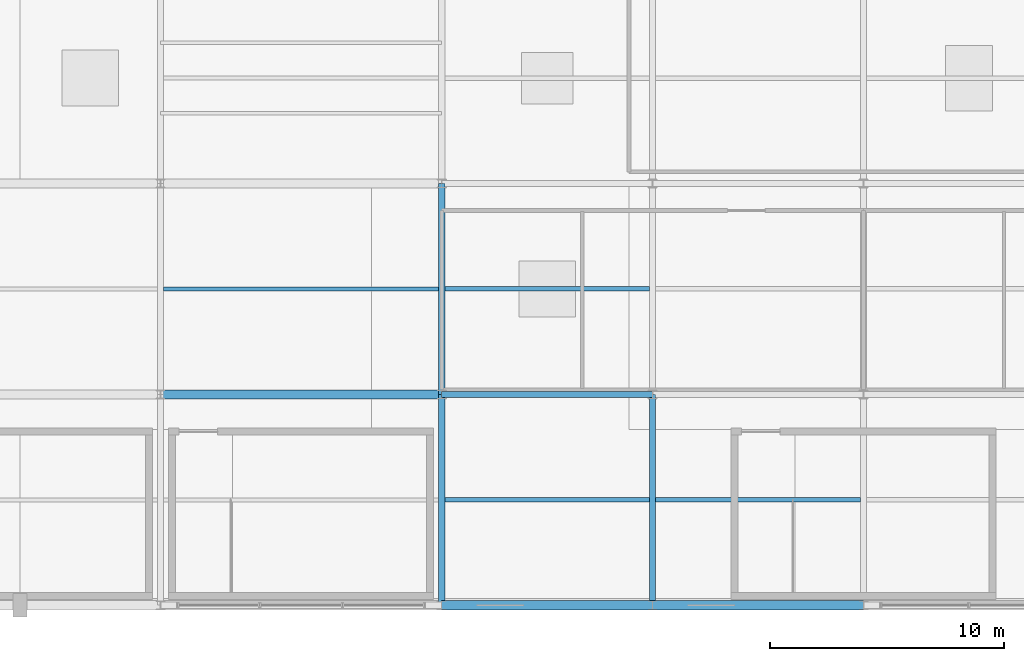
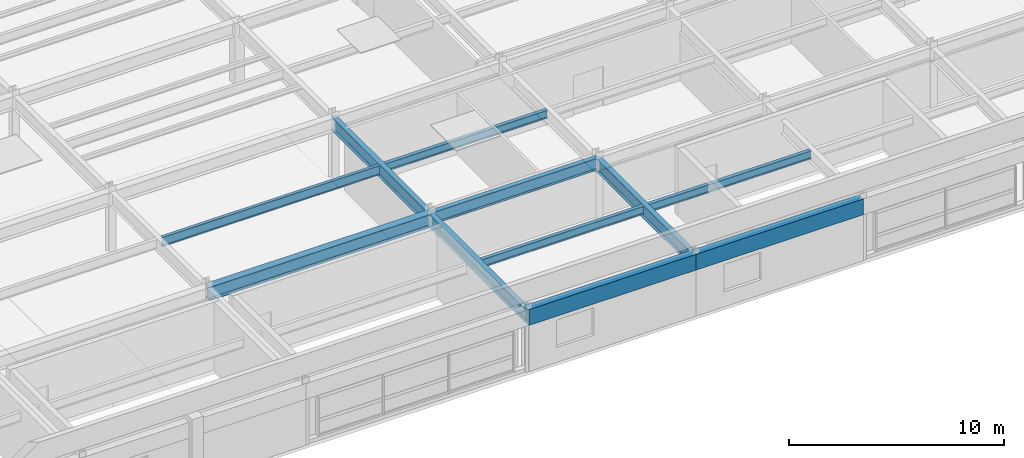
# One storey, part 48 of 108: 11 beams.
"""IFC4 building model written with IfcOpenShell, lengths in metres."""

from ifc_helpers import new_model, si_unit, direction, frame, origin, origin_2d, place, context, subcontext, project, spatial, rectangle, i_section, extrude, material, material_profile, profile_set, type_object, element, save


model = new_model("IFC4")

# Units and contexts
model_context = context("Model", 3, precision=1e-05, world=origin(), true_north=direction((0.0, 1.0)))
body_context = subcontext(model_context, "Body", "Model", "MODEL_VIEW")
ifc_project = project(units=[si_unit("LENGTHUNIT", "METRE"), si_unit("AREAUNIT", "SQUARE_METRE"), si_unit("VOLUMEUNIT", "CUBIC_METRE"), si_unit("PLANEANGLEUNIT", "RADIAN"), si_unit("MASSUNIT", "GRAM", prefix="KILO")], contexts=[model_context])

# Site, building, storey
site_placement = place(None, origin())
site = spatial("IfcSite", under=ifc_project, at=site_placement, CompositionType="ELEMENT")
building_placement = place(site_placement, origin())
building = spatial("IfcBuilding", under=site, at=building_placement, Name="Kaldorvane Square Convention Centre", CompositionType="ELEMENT")
storey_placement = place(building_placement, frame((0.0, 0.0, 23.399993896484375)))
storey = spatial("IfcBuildingStorey", under=building, at=storey_placement, Name="L04", CompositionType="ELEMENT", Elevation=23.399993896484375)

# Beams
ifc_material_1 = material(Name="Steel ASTM A992 Gr. 50", Category="steel")
ifc_material_profile_1 = material_profile(ifc_material_1, i_section(OverallWidth=0.25439453125, OverallDepth=0.6880950927734375, WebThickness=0.0131072998046875, FlangeThickness=0.0211029052734375, FilletRadius=0.01519775390625, at=origin_2d()), Name="W27X102")
ifc_profile_set_1 = profile_set([ifc_material_profile_1], Name="Steel ASTM A992 Gr. 50")
beam_type_1 = type_object("IfcBeamType", Name="BM-GR-W27X102", PredefinedType="BEAM", material=ifc_profile_set_1)
beam_1_placement = place(storey_placement, frame((138.0, 9.0, 3.1819000244140625), z_axis=(1.0, 0.0, 0.0), x_axis=(0.0, 1.0, 0.0)))
element("IfcBeam", 1, at=beam_1_placement, inside=storey, type_object=beam_type_1, Name="Primary Girder (L04)", PredefinedType="BEAM", context=body_context, shape_type="SweptSolid", body=[
    extrude(i_section(OverallWidth=0.25439453125, OverallDepth=0.6880950927734375, WebThickness=0.0131072998046875, FlangeThickness=0.0211029052734375, FilletRadius=0.01519775390625, at=origin_2d()), origin(), (0.0, 0.0, 1.0), 9.0),
])
ifc_material_profile_2 = material_profile(ifc_material_1, i_section(OverallWidth=0.2666015625, OverallDepth=0.762298583984375, WebThickness=0.014404296875, FlangeThickness=0.0216064453125, FilletRadius=0.0164947509765625, at=origin_2d()), Name="W30X116")
ifc_profile_set_2 = profile_set([ifc_material_profile_2], Name="Steel ASTM A992 Gr. 50")
beam_type_2 = type_object("IfcBeamType", Name="BM-GR-W30X116", PredefinedType="BEAM", material=ifc_profile_set_2)
for number, where, z_axis, x_axis, name in (
    (2, (138.0, 0.0, 3.144805908203125), (0.0, 1.0, 0.0), (-1.0, 0.0, 0.0), "Transverse Girder (L04)"),
    (3, (138.0, 9.0, 3.144805908203125), (0.0, 1.0, 0.0), (-1.0, 0.0, 0.0), "Transverse Girder (L04)"),
    (4, (147.0, 0.0, 3.144805908203125), (0.0, 1.0, 0.0), (-1.0, 0.0, 0.0), "Transverse Girder (L04)"),
):
    element("IfcBeam", number, at=place(storey_placement, frame(where, z_axis=z_axis, x_axis=x_axis)), inside=storey, type_object=beam_type_2, Name=name, PredefinedType="BEAM", context=body_context, shape_type="SweptSolid", body=[
        extrude(i_section(OverallWidth=0.2666015625, OverallDepth=0.762298583984375, WebThickness=0.014404296875, FlangeThickness=0.0216064453125, FilletRadius=0.0164947509765625, at=origin_2d()), origin(), (0.0, 0.0, 1.0), 9.0),
    ])
ifc_material_profile_3 = material_profile(ifc_material_1, i_section(OverallWidth=0.380706787109375, OverallDepth=0.773193359375, WebThickness=0.0166015625, FlangeThickness=0.027099609375, FilletRadius=0.0164947509765625, at=origin_2d()), Name="W30X173")
ifc_profile_set_3 = profile_set([ifc_material_profile_3], Name="Steel ASTM A992 Gr. 50")
beam_type_3 = type_object("IfcBeamType", Name="BM-GR-W30X173", PredefinedType="BEAM", material=ifc_profile_set_3)
beam_2_placement = place(storey_placement, frame((126.0, 9.0, 3.139404296875), z_axis=(1.0, 0.0, 0.0), x_axis=(0.0, 1.0, 0.0)))
element("IfcBeam", 5, at=beam_2_placement, inside=storey, type_object=beam_type_3, Name="Primary Girder (L04)", PredefinedType="BEAM", context=body_context, shape_type="SweptSolid", body=[
    extrude(i_section(OverallWidth=0.380706787109375, OverallDepth=0.773193359375, WebThickness=0.0166015625, FlangeThickness=0.027099609375, FilletRadius=0.0164947509765625, at=origin_2d()), origin(), (0.0, 0.0, 1.0), 12.0),
])
ifc_material_profile_4 = material_profile(ifc_material_1, i_section(OverallWidth=0.1912994384765625, OverallDepth=0.4600067138671875, WebThickness=0.0099029541015625, FlangeThickness=0.0160064697265625, FilletRadius=0.01019287109375, at=origin_2d()), Name="W18X55")
ifc_profile_set_4 = profile_set([ifc_material_profile_4], Name="Steel ASTM A992 Gr. 50")
beam_type_4 = type_object("IfcBeamType", Name="BM-JS-W18X55", PredefinedType="JOIST", material=ifc_profile_set_4)
for number, where, z_axis, x_axis, name in (
    (6, (138.13330078125, 4.5, 3.2960052490234375), (1.0, 0.0, 0.0), (0.0, 1.0, 0.0), "Secondary Floor Joist (L04)"),
    (7, (147.13330078125, 4.5, 3.2960052490234375), (1.0, 0.0, 0.0), (0.0, 1.0, 0.0), "Secondary Floor Joist (L04)"),
    (8, (138.13330078125, 13.5, 3.2960052490234375), (1.0, 0.0, 0.0), (0.0, 1.0, 0.0), "Secondary Floor Joist (L04)"),
):
    element("IfcBeam", number, at=place(storey_placement, frame(where, z_axis=z_axis, x_axis=x_axis)), inside=storey, type_object=beam_type_4, Name=name, PredefinedType="JOIST", context=body_context, shape_type="SweptSolid", body=[
        extrude(i_section(OverallWidth=0.1912994384765625, OverallDepth=0.4600067138671875, WebThickness=0.0099029541015625, FlangeThickness=0.0160064697265625, FilletRadius=0.01019287109375, at=origin_2d()), origin(), (0.0, 0.0, 1.0), 8.7333984375),
    ])
ifc_material_profile_5 = material_profile(ifc_material_1, i_section(OverallWidth=0.1658935546875, OverallDepth=0.5290985107421875, WebThickness=0.00970458984375, FlangeThickness=0.0135955810546875, FilletRadius=0.0126953125, at=origin_2d()), Name="W21X50")
ifc_profile_set_5 = profile_set([ifc_material_profile_5], Name="Steel ASTM A992 Gr. 50")
beam_type_5 = type_object("IfcBeamType", Name="BM-JS-W21X50", PredefinedType="JOIST", material=ifc_profile_set_5)
beam_3_placement = place(storey_placement, frame((126.13330078125, 13.5, 3.26141357421875), z_axis=(1.0, 0.0, 0.0), x_axis=(0.0, 1.0, 0.0)))
element("IfcBeam", 9, at=beam_3_placement, inside=storey, type_object=beam_type_5, Name="Secondary Floor Joist (L04)", PredefinedType="JOIST", context=body_context, shape_type="SweptSolid", body=[
    extrude(i_section(OverallWidth=0.1658935546875, OverallDepth=0.5290985107421875, WebThickness=0.00970458984375, FlangeThickness=0.0135955810546875, FilletRadius=0.0126953125, at=origin_2d()), origin(), (0.0, 0.0, 1.0), 11.7333984375),
])
ifc_material_2 = material(Name="Concrete f'c = 42 MPa (Normalweight)", Category="concrete")
ifc_material_profile_6 = material_profile(ifc_material_2, rectangle(XDim=0.399993896484375, YDim=0.899993896484375, at=origin_2d()), Name="RCSP900X400")
ifc_profile_set_6 = profile_set([ifc_material_profile_6], Name="Concrete f'c = 42 MPa (Normalweight)")
beam_type_6 = type_object("IfcBeamType", Name="BM-SP-RC900", PredefinedType="SPANDREL", material=ifc_profile_set_6)
for number, where, z_axis, x_axis, name in (
    (10, (138.0, 0.0, 3.0760040283203125), (1.0, 0.0, 0.0), (0.0, 1.0, 0.0), "Perimeter Spandrel (L04)"),
    (11, (147.0, 0.0, 3.0760040283203125), (1.0, 0.0, 0.0), (0.0, 1.0, 0.0), "Perimeter Spandrel (L04)"),
):
    element("IfcBeam", number, at=place(storey_placement, frame(where, z_axis=z_axis, x_axis=x_axis)), inside=storey, type_object=beam_type_6, Name=name, PredefinedType="SPANDREL", context=body_context, shape_type="SweptSolid", body=[
        extrude(rectangle(XDim=0.399993896484375, YDim=0.899993896484375, at=origin_2d()), origin(), (0.0, 0.0, 1.0), 9.0),
    ])

save(model, "model.ifc")
